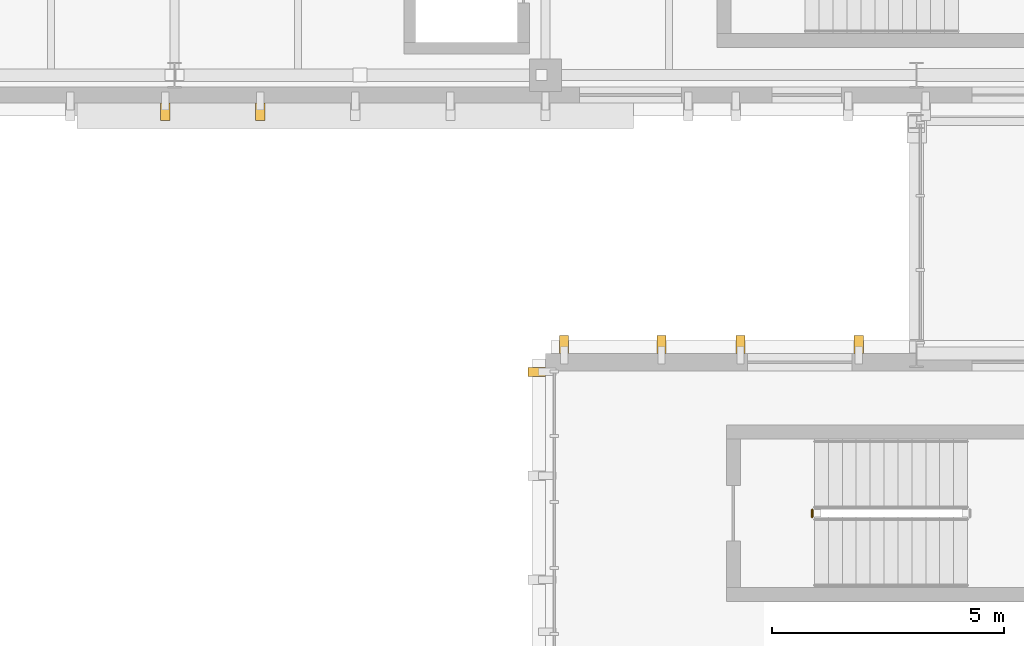
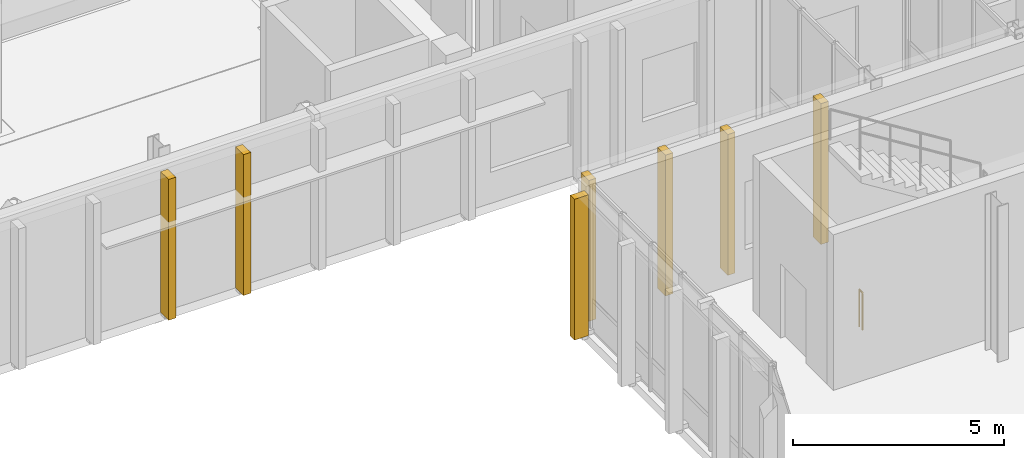
# One storey, part 83 of 100: 7 coverings, 1 railing.
"""IFC4 building model written with IfcOpenShell, lengths in metres."""

from ifc_helpers import new_model, si_unit, direction, frame, origin, origin_2d, place, context, subcontext, project, spatial, rectangle, circle, extrude, material, layer, layer_set, type_object, element, save


model = new_model("IFC4")

# Units and contexts
model_context = context("Model", 3, precision=1e-05, world=origin(), true_north=direction((0.0, 1.0)))
body_context = subcontext(model_context, "Body", "Model", "MODEL_VIEW")
ifc_project = project(units=[si_unit("LENGTHUNIT", "METRE"), si_unit("AREAUNIT", "SQUARE_METRE"), si_unit("VOLUMEUNIT", "CUBIC_METRE"), si_unit("PLANEANGLEUNIT", "RADIAN"), si_unit("MASSUNIT", "GRAM", prefix="KILO")], contexts=[model_context])

# Site, building, storey
site_placement = place(None, origin())
site = spatial("IfcSite", under=ifc_project, at=site_placement, CompositionType="ELEMENT")
building_placement = place(site_placement, origin())
building = spatial("IfcBuilding", under=site, at=building_placement, Name="Cymarion Research Institute", CompositionType="ELEMENT")
storey_placement = place(building_placement, frame((0.0, 0.0, 4.800048828125)))
storey = spatial("IfcBuildingStorey", under=building, at=storey_placement, Name="L01", CompositionType="ELEMENT", Elevation=4.800048828125)

# Railing
ifc_material_1 = material(Name="Steel S355", Category="steel")
railing_type = type_object("IfcRailingType", Name="PAINTED STEEL STAIR GUARDRAIL GR1 1100MM", PredefinedType="GUARDRAIL", material=ifc_material_1)
railing_placement = place(storey_placement, frame((36.35009765625, 37.969970703125, 0.0)))
element("IfcRailing", 1, at=railing_placement, inside=storey, type_object=railing_type, Name="L01 ST6 stair guard 4", PredefinedType="GUARDRAIL", context=body_context, shape_type="SweptSolid", body=[
    extrude(circle(Radius=0.02392578125, at=origin_2d()), frame((0.0, 0.0, 1.076171875), z_axis=(0.0, 1.0, 0.0), x_axis=(-1.0, 0.0, 0.0)), (0.0, 0.0, 1.0), 0.159912109375),
    extrude(circle(Radius=0.02099609375, at=origin_2d()), origin(), (0.0, 0.0, 1.0), 1.052001953125),
    extrude(circle(Radius=0.02099609375, at=origin_2d()), frame((0.0, 0.159912109375, 0.0)), (0.0, 0.0, 1.0), 1.052001953125),
])

# Coverings
ifc_material_2 = material(Name="Precast concrete C45/55 architectural white", Category="concrete")
ifc_layer = layer(ifc_material_2, 0.199951171875)
ifc_layer_set = layer_set([ifc_layer], Name="Precast concrete C45/55 architectural white")
covering_type = type_object("IfcCoveringType", Name="SCULPTURAL WHITE PRECAST CONCRETE VERTICAL RIB RIB1 380X200", PredefinedType="CLADDING", material=ifc_layer_set)
for number, where, z_axis, x_axis, name in (
    (2, (37.35498046875, 41.69189453125, 0.009765625), (0.0, 0.0, 1.0), (0.0, 1.0, 0.0), "L01 V3 sculptural precast vertical rib RIB1 #251"),
    (3, (34.804931640625, 41.69189453125, 0.009765625), (0.0, 0.0, 1.0), (0.0, 1.0, 0.0), "L01 V3 sculptural precast vertical rib RIB1 #252"),
    (4, (33.10009765625, 41.69189453125, 0.009765625), (0.0, 0.0, 1.0), (0.0, 1.0, 0.0), "L01 V3 sculptural precast vertical rib RIB1 #253"),
    (5, (31.0, 41.69189453125, 0.009765625), (0.0, 0.0, 1.0), (0.0, 1.0, 0.0), "L01 V3 sculptural precast vertical rib RIB1 #254"),
    (6, (30.407958984375, 41.10009765625, 0.009765625), (0.0, 0.0, 1.0), (-1.0, 0.0, 0.0), "L01 V3 sculptural precast vertical rib RIB1 #256"),
    (7, (22.39990234375, 46.7080078125, 0.009765625), (0.0, 0.0, 1.0), (0.0, -1.0, 0.0), "L01 V4 sculptural precast vertical rib RIB1 #298"),
    (8, (24.449951171875, 46.7080078125, 0.009765625), (0.0, 0.0, 1.0), (0.0, -1.0, 0.0), "L01 V4 sculptural precast vertical rib RIB1 #299"),
):
    element("IfcCovering", number, at=place(storey_placement, frame(where, z_axis=z_axis, x_axis=x_axis)), inside=storey, type_object=covering_type, Name=name, PredefinedType="CLADDING", context=body_context, shape_type="SweptSolid", body=[
        extrude(rectangle(XDim=0.3798828125, YDim=0.199951171875, at=origin_2d()), origin(), (0.0, 0.0, 1.0), 4.074951171875),
    ])

save(model, "model.ifc")
